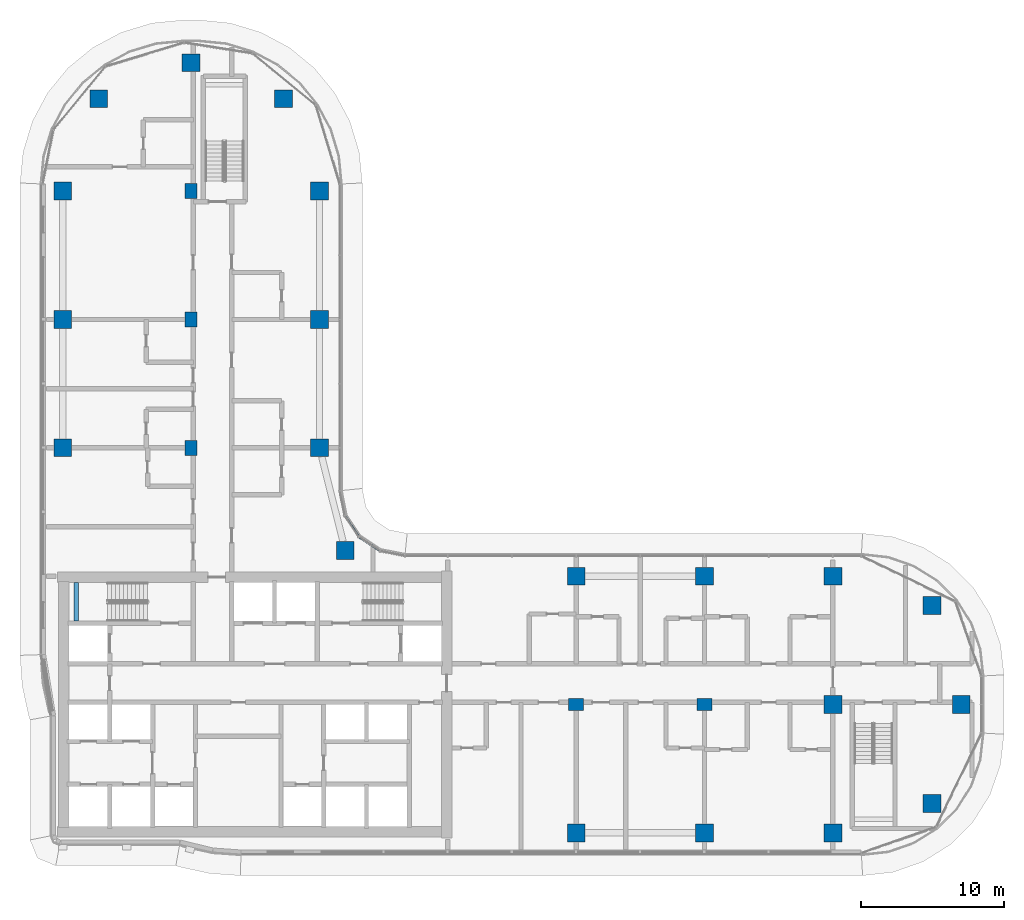
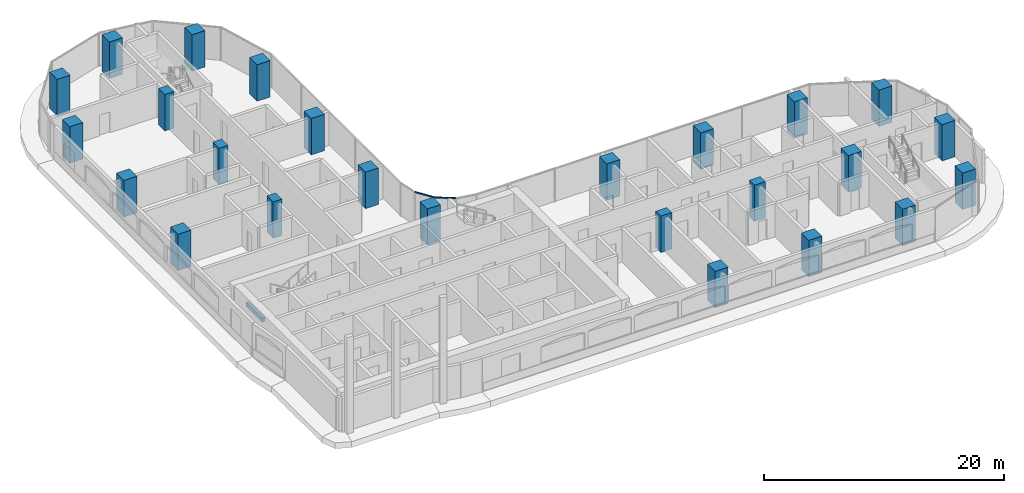
# One storey, part 1 of 25: 25 columns, 2 members, 1 beam, 1 element without a shape of its own.
"""IFC4 building model written with IfcOpenShell, lengths in metres."""

import ifcopenshell
import ifcopenshell.guid

model = None  # the IFC model being written
_history = None  # IfcOwnerHistory: only IFC2X3 demands one
_inside = {}  # id of a spatial element -> (the spatial element, [elements in it])
_under = {}  # id of a project, library or spatial element -> (it, [spatial elements below it])
_declared = {}  # id of a project -> (the project, [libraries it declares])
_typed = {}  # id of a type object -> (the type object, [elements of that type])
_made_of = {}  # id of a material, layer set ... -> (it, [elements and type objects made of it])


def new_model(schema):
    """Start an empty IFC model of exactly this schema.

    Asked for "IFC4X3", IfcOpenShell would pick the latest addendum, in which some entities
    have other attributes; the version numbers below select the first issue.
    IFC2X3 requires an IfcOwnerHistory on every rooted entity: one is made here for all.
    """
    global model, _history
    if schema == "IFC4X3":
        model = ifcopenshell.file(schema_version=(4, 3, 0, 0))
    else:
        model = ifcopenshell.file(schema=schema)
    _inside.clear()
    _under.clear()
    _declared.clear()
    _typed.clear()
    _made_of.clear()
    _history = None
    if model.schema == "IFC2X3":
        org = make("IfcOrganization", Name="unknown")
        user = make(
            "IfcPersonAndOrganization",
            ThePerson=make("IfcPerson", FamilyName="unknown"),
            TheOrganization=org,
        )
        app = make(
            "IfcApplication",
            ApplicationDeveloper=org,
            Version="unknown",
            ApplicationFullName="unknown",
            ApplicationIdentifier="unknown",
        )
        _history = make(
            "IfcOwnerHistory",
            OwningUser=user,
            OwningApplication=app,
            ChangeAction="ADDED",
            CreationDate=0,
        )
    return model


def make(cls, **values):
    """One entity of the class cls with the attributes given. An attribute that is None is left unset."""
    return model.create_entity(
        cls, **{name: value for name, value in values.items() if value is not None}
    )


def rooted(cls, **values):
    """An entity with a GlobalId (a new one), such as an element, a storey or a relation."""
    return make(cls, GlobalId=ifcopenshell.guid.new(), OwnerHistory=_history, **values)


def si_unit(unit_type, name, prefix=None):
    """IfcSIUnit, for example si_unit("LENGTHUNIT", "METRE", prefix="MILLI")."""
    return make("IfcSIUnit", UnitType=unit_type, Prefix=prefix, Name=name)


def assignment(units):
    """IfcUnitAssignment: the units of a project."""
    return None if units is None else make("IfcUnitAssignment", Units=units)


def point(xyz):
    """IfcCartesianPoint."""
    return None if xyz is None else make("IfcCartesianPoint", Coordinates=xyz)


def direction(xyz):
    """IfcDirection."""
    return None if xyz is None else make("IfcDirection", DirectionRatios=xyz)


def frame(location, z_axis=None, x_axis=None):
    """IfcAxis2Placement3D, a coordinate frame: its origin and axes. An axis left out is left unset."""
    return make(
        "IfcAxis2Placement3D",
        Location=point(location),
        Axis=direction(z_axis),
        RefDirection=direction(x_axis),
    )


def frame_2d(location, x_axis=None):
    """IfcAxis2Placement2D, a coordinate frame in the plane: its origin and x axis."""
    return make(
        "IfcAxis2Placement2D", Location=point(location), RefDirection=direction(x_axis)
    )


def origin():
    """The frame at (0, 0, 0) with its axes left unset."""
    return frame((0.0, 0.0, 0.0))


def origin_2d():
    """The frame at (0, 0) in the plane with its x axis left unset."""
    return frame_2d((0.0, 0.0))


def place(relative_to, where):
    """IfcLocalPlacement: puts the frame where relative to a parent placement (None: the world)."""
    return make(
        "IfcLocalPlacement", PlacementRelTo=relative_to, RelativePlacement=where
    )


def context(
    kind, dimensions, precision=None, world=None, true_north=None, identifier=None
):
    """IfcGeometricRepresentationContext, for example the 3D "Model" context."""
    return make(
        "IfcGeometricRepresentationContext",
        ContextIdentifier=identifier,
        ContextType=kind,
        CoordinateSpaceDimension=dimensions,
        Precision=precision,
        WorldCoordinateSystem=world,
        TrueNorth=true_north,
    )


def subcontext(parent, identifier, kind, view, scale=None):
    """IfcGeometricRepresentationSubContext, for example "Body" below "Model"."""
    return make(
        "IfcGeometricRepresentationSubContext",
        ContextIdentifier=identifier,
        ContextType=kind,
        ParentContext=parent,
        TargetScale=scale,
        TargetView=view,
    )


def project(units=None, contexts=None):
    """IfcProject with its units and contexts."""
    return rooted(
        "IfcProject",
        Name="project",
        RepresentationContexts=contexts,
        UnitsInContext=assignment(units),
    )


def spatial(cls, under=None, at=None, **own):
    """A site, building, storey or space (cls), placed at a placement, below another one or the project."""
    s = rooted(cls, ObjectPlacement=at, **own)
    if under is not None:
        _under.setdefault(under.id(), (under, []))[1].append(s)
    return s


def profile(cls, at=None, kind="AREA", **sizes):
    """A parametric profile (cls). Its sizes go by their IFC names, for example OverallWidth=200.0."""
    return make(cls, ProfileType=kind, Position=at, **sizes)


def rectangle(**sizes):
    """IfcRectangleProfileDef."""
    return profile("IfcRectangleProfileDef", **sizes)


def extrude(swept, where, along, depth):
    """IfcExtrudedAreaSolid: the profile swept, set in the frame where, extruded along a direction by depth."""
    return make(
        "IfcExtrudedAreaSolid",
        SweptArea=swept,
        Position=where,
        ExtrudedDirection=direction(along),
        Depth=depth,
    )


def shape(context_of_items, identifier, shape_type, items):
    """IfcShapeRepresentation: the items that make up one representation, for example the "Body"."""
    return make(
        "IfcShapeRepresentation",
        ContextOfItems=context_of_items,
        RepresentationIdentifier=identifier,
        RepresentationType=shape_type,
        Items=items,
    )


def material(Name=None, Category=None):
    """IfcMaterial."""
    return make("IfcMaterial", Name=Name, Category=Category)


def material_profile(
    of_material, cross_section, Name=None, Category=None, Priority=None
):
    """IfcMaterialProfile: a cross section and its material."""
    return make(
        "IfcMaterialProfile",
        Name=Name,
        Material=of_material,
        Profile=cross_section,
        Priority=Priority,
        Category=Category,
    )


def profile_set(profiles, Name=None, composite=None):
    """IfcMaterialProfileSet."""
    return make(
        "IfcMaterialProfileSet",
        Name=Name,
        MaterialProfiles=profiles,
        CompositeProfile=composite,
    )


def made_of(thing, what):
    """Note that an element or type object is made of a material, layer set ...; save() writes the relation."""
    if what is not None:
        _made_of.setdefault(what.id(), (what, []))[1].append(thing)
    return thing


def type_object(cls, material=None, **own):
    """A type object (cls), such as IfcWallType, which elements share."""
    return made_of(rooted(cls, **own), material)


def element(
    cls,
    number,
    at=None,
    inside=None,
    cuts=None,
    type_object=None,
    material=None,
    context=None,
    identifier="Body",
    shape_type=None,
    held_by="IfcProductDefinitionShape",
    body=None,
    shapes=None,
    **own,
):
    """One element of the class cls, such as IfcWall. Its Tag is "e" and its number.

    at: its placement. inside: the storey or other place that contains it. cuts: it is an
    opening in that element (IfcRelVoidsElement). A single representation is given by context,
    identifier, shape_type and body (its items); several are given by shapes. held_by: the class
    of the entity that holds the representations. save() writes the other relations.
    """
    e = rooted(cls, Tag="e%d" % number, ObjectPlacement=at, **own)
    if body is not None:
        shapes = [shape(context, identifier, shape_type, body)]
    if shapes is not None:
        e.Representation = make(held_by, Representations=shapes)
    if inside is not None:
        _inside.setdefault(inside.id(), (inside, []))[1].append(e)
    if cuts is not None:
        rooted(
            "IfcRelVoidsElement", RelatingBuildingElement=cuts, RelatedOpeningElement=e
        )
    if type_object is not None:
        _typed.setdefault(type_object.id(), (type_object, []))[1].append(e)
    return made_of(e, material)


def aggregate(whole, parts):
    """IfcRelAggregates: a whole, such as a stair, and the parts it consists of."""
    return rooted("IfcRelAggregates", RelatingObject=whole, RelatedObjects=parts)


def save(model, path):
    """Write the relations noted so far, then the file.

    IfcRelAggregates (storeys below a building ...), IfcRelContainedInSpatialStructure (elements
    in a storey), IfcRelDefinesByType, IfcRelAssociatesMaterial and IfcRelDeclares: one each for
    every whole, place, type object, material and project.
    """
    for whole, parts in _under.values():
        aggregate(whole, parts)
    for where, things in _inside.values():
        rooted(
            "IfcRelContainedInSpatialStructure",
            RelatedElements=things,
            RelatingStructure=where,
        )
    for kind, things in _typed.values():
        rooted("IfcRelDefinesByType", RelatedObjects=things, RelatingType=kind)
    for what, things in _made_of.values():
        rooted("IfcRelAssociatesMaterial", RelatedObjects=things, RelatingMaterial=what)
    for by, libraries in _declared.values():
        rooted("IfcRelDeclares", RelatingContext=by, RelatedDefinitions=libraries)
    model.write(path)


model = new_model("IFC4")

# Units and contexts
model_context = context("Model", 3, precision=1e-05, world=origin(), true_north=direction((0.0, 1.0)))
body_context = subcontext(model_context, "Body", "Model", "MODEL_VIEW")
ifc_project = project(units=[si_unit("LENGTHUNIT", "METRE"), si_unit("AREAUNIT", "SQUARE_METRE"), si_unit("VOLUMEUNIT", "CUBIC_METRE"), si_unit("PLANEANGLEUNIT", "RADIAN"), si_unit("MASSUNIT", "GRAM", prefix="KILO")], contexts=[model_context])

# Site, building, storey
site_placement = place(None, origin())
site = spatial("IfcSite", under=ifc_project, at=site_placement, CompositionType="ELEMENT")
building_placement = place(site_placement, origin())
building = spatial("IfcBuilding", under=site, at=building_placement, Name="Ogive Portal Towers", CompositionType="ELEMENT")
storey_placement = place(building_placement, frame((0.0, 0.0, 105.60009765625)))
storey = spatial("IfcBuildingStorey", under=building, at=storey_placement, Name="L25", CompositionType="ELEMENT", Elevation=105.60009765625)

# Columns
ifc_material_1 = material(Name="Concrete C60/75", Category="concrete")
ifc_material_profile_1 = material_profile(ifc_material_1, rectangle(XDim=1.050048828125, YDim=0.85009765625, at=origin_2d()), Name="RC 1050x850")
ifc_profile_set_1 = profile_set([ifc_material_profile_1], Name="Concrete C60/75")
column_type_1 = type_object("IfcColumnType", Name="COLUMN RC 1050x850", PredefinedType="COLUMN", material=ifc_profile_set_1)
for number, where, z_axis, x_axis, name in (
    (1, (67.5, 30.5, 0.0), (0.0, 0.0, 1.0), (1.0, 0.0, 0.0), "Column 5/B L25"),
    (2, (76.5, 30.5, 0.0), (0.0, 0.0, 1.0), (1.0, 0.0, 0.0), "Column 6/B L25"),
    (3, (40.5, 48.5, 0.0), (0.0, 0.0, 1.0), (0.0, 1.0, 0.0), "Column 2/D L25"),
    (4, (40.5, 57.5, 0.0), (0.0, 0.0, 1.0), (0.0, 1.0, 0.0), "Column 2/E L25"),
    (5, (40.5, 66.5, 0.0), (0.0, 0.0, 1.0), (0.0, 1.0, 0.0), "Column 2/F L25"),
):
    element("IfcColumn", number, at=place(storey_placement, frame(where, z_axis=z_axis, x_axis=x_axis)), inside=storey, type_object=column_type_1, Name=name, PredefinedType="COLUMN", context=body_context, shape_type="SweptSolid", body=[
        extrude(rectangle(XDim=1.050048828125, YDim=0.85009765625, at=origin_2d()), origin(), (0.0, 0.0, 1.0), 3.699951171875),
    ])
ifc_material_profile_2 = material_profile(ifc_material_1, rectangle(XDim=1.25, YDim=1.25, at=origin_2d()), Name="RC 1250x1250")
ifc_profile_set_2 = profile_set([ifc_material_profile_2], Name="Concrete C60/75")
column_type_2 = type_object("IfcColumnType", Name="COLUMN RC 1250x1250", PredefinedType="COLUMN", material=ifc_profile_set_2)
for number, where, z_axis, x_axis, name in (
    (6, (67.5, 21.5, 0.0), (0.0, 0.0, 1.0), (1.0, 0.0, 0.0), "Column 5/A L25"),
    (7, (76.5, 21.5, 0.0), (0.0, 0.0, 1.0), (1.0, 0.0, 0.0), "Column 6/A L25"),
    (8, (85.5, 21.5, 0.0), (0.0, 0.0, 1.0), (1.0, 0.0, 0.0), "Column 7/A L25"),
    (9, (92.449951171875, 23.550048828125, 0.0), (0.0, 0.0, 1.0), (1.0, 0.0, 0.0), "Column L25"),
    (10, (85.5, 30.5, 0.0), (0.0, 0.0, 1.0), (1.0, 0.0, 0.0), "Column 7/B L25"),
    (11, (94.5, 30.5, 0.0), (0.0, 0.0, 1.0), (1.0, 0.0, 0.0), "Column 8/B L25"),
    (12, (92.449951171875, 37.449951171875, 0.0), (0.0, 0.0, 1.0), (1.0, 0.0, 0.0), "Column L25"),
    (13, (67.5, 39.5, 0.0), (0.0, 0.0, 1.0), (1.0, 0.0, 0.0), "Column 5/C L25"),
    (14, (76.5, 39.5, 0.0), (0.0, 0.0, 1.0), (1.0, 0.0, 0.0), "Column 6/C L25"),
    (15, (85.5, 39.5, 0.0), (0.0, 0.0, 1.0), (1.0, 0.0, 0.0), "Column 7/C L25"),
    (16, (51.31005859375, 41.31005859375, 0.0), (0.0, 0.0, 1.0), (1.0, 0.0, 0.0), "Column L25"),
    (17, (31.5, 48.5, 0.0), (0.0, 0.0, 1.0), (1.0, 0.0, 0.0), "Column 1/D L25"),
    (18, (49.5, 48.5, 0.0), (0.0, 0.0, 1.0), (1.0, 0.0, 0.0), "Column 3/D L25"),
    (19, (31.5, 57.5, 0.0), (0.0, 0.0, 1.0), (1.0, 0.0, 0.0), "Column 1/E L25"),
    (20, (49.5, 57.5, 0.0), (0.0, 0.0, 1.0), (1.0, 0.0, 0.0), "Column 3/E L25"),
    (21, (31.5, 66.5, 0.0), (0.0, 0.0, 1.0), (1.0, 0.0, 0.0), "Column 1/F L25"),
    (22, (49.5, 66.5, 0.0), (0.0, 0.0, 1.0), (1.0, 0.0, 0.0), "Column 3/F L25"),
    (23, (34.027099609375, 72.972900390625, 0.0), (0.0, 0.0, 1.0), (1.0, 0.0, 0.0), "Column L25"),
    (24, (46.972900390625, 72.972900390625, 0.0), (0.0, 0.0, 1.0), (1.0, 0.0, 0.0), "Column L25"),
    (25, (40.5, 75.5, 0.0), (0.0, 0.0, 1.0), (1.0, 0.0, 0.0), "Column 2/G L25"),
):
    element("IfcColumn", number, at=place(storey_placement, frame(where, z_axis=z_axis, x_axis=x_axis)), inside=storey, type_object=column_type_2, Name=name, PredefinedType="COLUMN", context=body_context, shape_type="SweptSolid", body=[
        extrude(rectangle(XDim=1.25, YDim=1.25, at=origin_2d()), origin(), (0.0, 0.0, 1.0), 3.699951171875),
    ])

# Beam
ifc_material_2 = material(Name="Concrete C40/50", Category="concrete")
ifc_material_profile_3 = material_profile(ifc_material_2, rectangle(XDim=0.300048828125, YDim=0.39990234375, at=origin_2d()), Name="RC 300x400")
ifc_profile_set_3 = profile_set([ifc_material_profile_3], Name="Concrete C40/50")
beam_type = type_object("IfcBeamType", Name="BEAM RC 300x400", PredefinedType="BEAM", material=ifc_profile_set_3)
beam_placement = place(storey_placement, frame((32.449951171875, 36.35009765625, 1.449951171875), z_axis=(0.0, 1.0, 0.0), x_axis=(-1.0, 0.0, 0.0)))
element("IfcBeam", 26, at=beam_placement, inside=storey, type_object=beam_type, Name="Landing beam L25", PredefinedType="BEAM", context=body_context, shape_type="SweptSolid", body=[
    extrude(rectangle(XDim=0.300048828125, YDim=0.39990234375, at=origin_2d()), origin(), (0.0, 0.0, 1.0), 2.699951171875),
])

# Curtain wall, members
ifc_material_3 = material(Name="Glass, clear low-iron insulated glazing", Category="glass")
curtain_wall_type = type_object("IfcCurtainWallType", Name="CW FRONT RIBBON 4500", PredefinedType="NOTDEFINED", material=ifc_material_3)
curtain_wall_placement = place(storey_placement, origin())
curtain_wall = element("IfcCurtainWall", 27, at=curtain_wall_placement, inside=storey, type_object=curtain_wall_type, Name="A:L25:f13:cwa", PredefinedType="NOTDEFINED")
ifc_material_4 = material(Name="Aluminium 6063 anodised", Category="aluminium")
ifc_material_profile_4 = material_profile(ifc_material_4, rectangle(XDim=0.1201171875, YDim=0.06005859375, at=origin_2d()), Name="AL 120x60")
ifc_profile_set_4 = profile_set([ifc_material_profile_4], Name="Aluminium 6063 anodised")
member_type = type_object("IfcMemberType", Name="CW TRANSOM 60x120", PredefinedType="USERDEFINED", material=ifc_profile_set_4)
member_1_placement = place(storey_placement, frame((53.746826171875, 41.26708984375, 3.369873046875), z_axis=(-0.831503657605, 0.555519277244, 0.0), x_axis=(-0.555519277244, -0.831503657605, 0.0)))
member_1 = element("IfcMember", 28, at=member_1_placement, type_object=member_type, Name="transom", ObjectType="TRANSOM", PredefinedType="USERDEFINED", context=body_context, shape_type="SweptSolid", body=[
    extrude(rectangle(XDim=0.1201171875, YDim=0.06005859375, at=origin_2d()), origin(), (0.0, 0.0, 1.0), 1.787841796875),
])
member_2_placement = place(storey_placement, frame((52.26025390625, 42.26025390625, 3.369873046875), z_axis=(-0.555519277244, 0.831503657605, 0.0), x_axis=(-0.831503657605, -0.555519277244, 0.0)))
member_2 = element("IfcMember", 29, at=member_2_placement, type_object=member_type, Name="transom", ObjectType="TRANSOM", PredefinedType="USERDEFINED", context=body_context, shape_type="SweptSolid", body=[
    extrude(rectangle(XDim=0.1201171875, YDim=0.06005859375, at=origin_2d()), origin(), (0.0, 0.0, 1.0), 1.787841796875),
])
aggregate(curtain_wall, [member_1, member_2])

save(model, "model.ifc")
